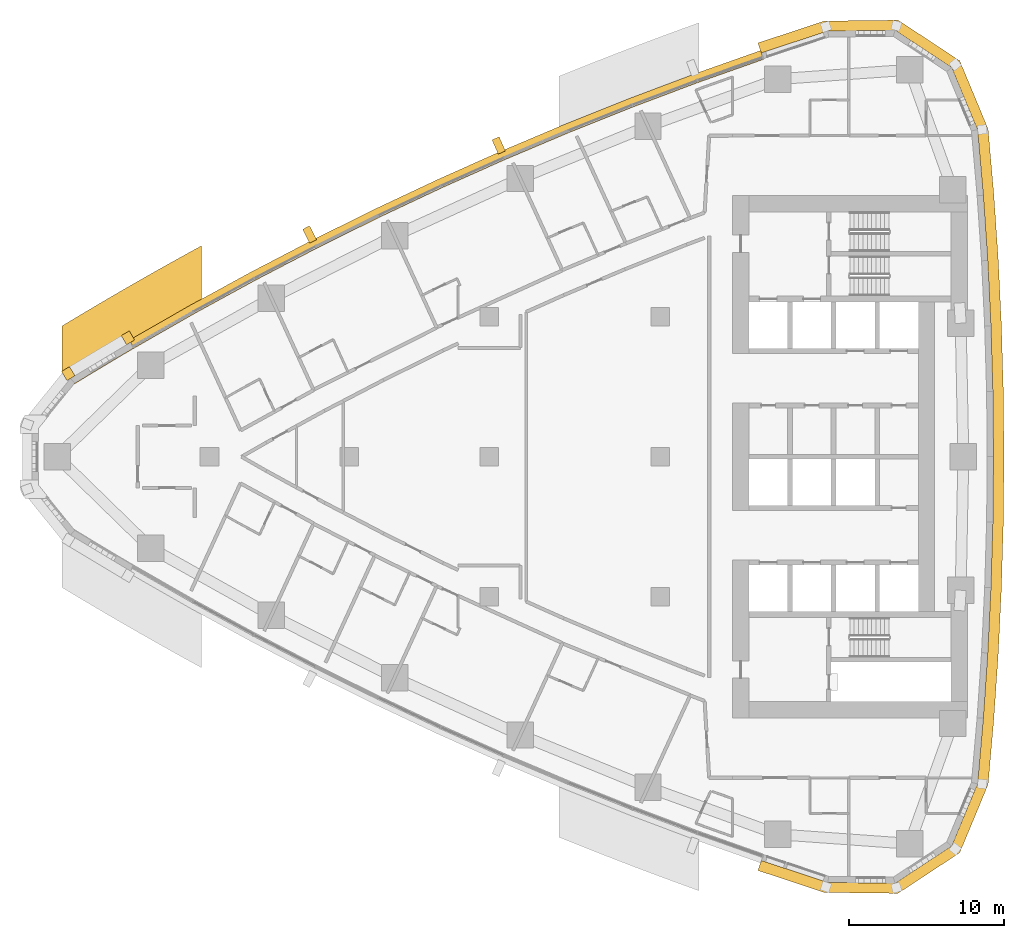
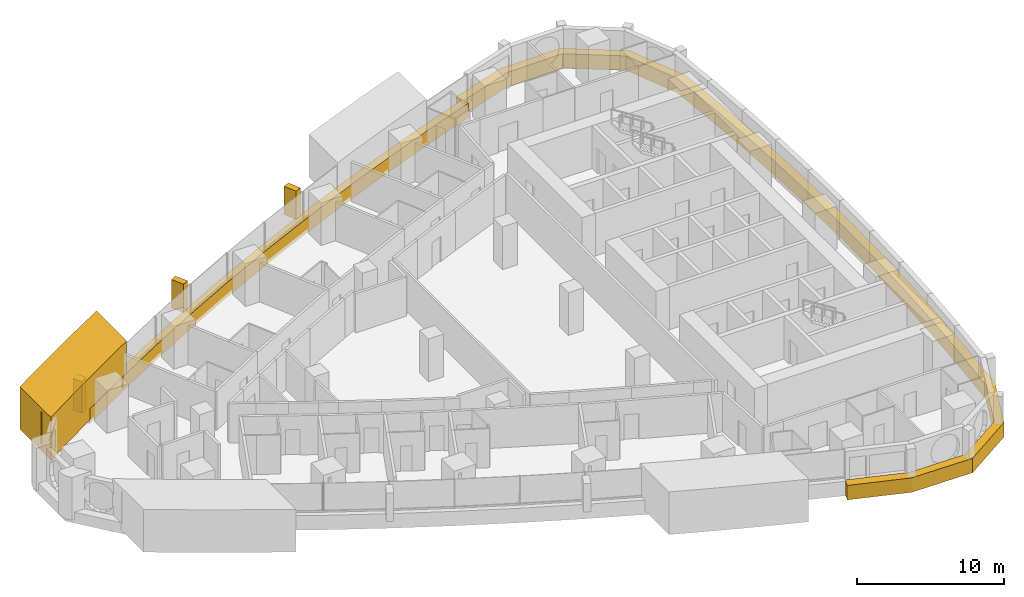
# One storey, part 16 of 17: 7 coverings.
"""IFC4 building model written with IfcOpenShell, lengths in metres."""

import ifcopenshell
import ifcopenshell.guid

model = None  # the IFC model being written
_history = None  # IfcOwnerHistory: only IFC2X3 demands one
_inside = {}  # id of a spatial element -> (the spatial element, [elements in it])
_under = {}  # id of a project, library or spatial element -> (it, [spatial elements below it])
_declared = {}  # id of a project -> (the project, [libraries it declares])
_typed = {}  # id of a type object -> (the type object, [elements of that type])
_made_of = {}  # id of a material, layer set ... -> (it, [elements and type objects made of it])


def new_model(schema):
    """Start an empty IFC model of exactly this schema.

    Asked for "IFC4X3", IfcOpenShell would pick the latest addendum, in which some entities
    have other attributes; the version numbers below select the first issue.
    IFC2X3 requires an IfcOwnerHistory on every rooted entity: one is made here for all.
    """
    global model, _history
    if schema == "IFC4X3":
        model = ifcopenshell.file(schema_version=(4, 3, 0, 0))
    else:
        model = ifcopenshell.file(schema=schema)
    _inside.clear()
    _under.clear()
    _declared.clear()
    _typed.clear()
    _made_of.clear()
    _history = None
    if model.schema == "IFC2X3":
        org = make("IfcOrganization", Name="unknown")
        user = make(
            "IfcPersonAndOrganization",
            ThePerson=make("IfcPerson", FamilyName="unknown"),
            TheOrganization=org,
        )
        app = make(
            "IfcApplication",
            ApplicationDeveloper=org,
            Version="unknown",
            ApplicationFullName="unknown",
            ApplicationIdentifier="unknown",
        )
        _history = make(
            "IfcOwnerHistory",
            OwningUser=user,
            OwningApplication=app,
            ChangeAction="ADDED",
            CreationDate=0,
        )
    return model


def make(cls, **values):
    """One entity of the class cls with the attributes given. An attribute that is None is left unset."""
    return model.create_entity(
        cls, **{name: value for name, value in values.items() if value is not None}
    )


def rooted(cls, **values):
    """An entity with a GlobalId (a new one), such as an element, a storey or a relation."""
    return make(cls, GlobalId=ifcopenshell.guid.new(), OwnerHistory=_history, **values)


def si_unit(unit_type, name, prefix=None):
    """IfcSIUnit, for example si_unit("LENGTHUNIT", "METRE", prefix="MILLI")."""
    return make("IfcSIUnit", UnitType=unit_type, Prefix=prefix, Name=name)


def assignment(units):
    """IfcUnitAssignment: the units of a project."""
    return None if units is None else make("IfcUnitAssignment", Units=units)


def point(xyz):
    """IfcCartesianPoint."""
    return None if xyz is None else make("IfcCartesianPoint", Coordinates=xyz)


def direction(xyz):
    """IfcDirection."""
    return None if xyz is None else make("IfcDirection", DirectionRatios=xyz)


def frame(location, z_axis=None, x_axis=None):
    """IfcAxis2Placement3D, a coordinate frame: its origin and axes. An axis left out is left unset."""
    return make(
        "IfcAxis2Placement3D",
        Location=point(location),
        Axis=direction(z_axis),
        RefDirection=direction(x_axis),
    )


def frame_2d(location, x_axis=None):
    """IfcAxis2Placement2D, a coordinate frame in the plane: its origin and x axis."""
    return make(
        "IfcAxis2Placement2D", Location=point(location), RefDirection=direction(x_axis)
    )


def origin():
    """The frame at (0, 0, 0) with its axes left unset."""
    return frame((0.0, 0.0, 0.0))


def place(relative_to, where):
    """IfcLocalPlacement: puts the frame where relative to a parent placement (None: the world)."""
    return make(
        "IfcLocalPlacement", PlacementRelTo=relative_to, RelativePlacement=where
    )


def context(
    kind, dimensions, precision=None, world=None, true_north=None, identifier=None
):
    """IfcGeometricRepresentationContext, for example the 3D "Model" context."""
    return make(
        "IfcGeometricRepresentationContext",
        ContextIdentifier=identifier,
        ContextType=kind,
        CoordinateSpaceDimension=dimensions,
        Precision=precision,
        WorldCoordinateSystem=world,
        TrueNorth=true_north,
    )


def subcontext(parent, identifier, kind, view, scale=None):
    """IfcGeometricRepresentationSubContext, for example "Body" below "Model"."""
    return make(
        "IfcGeometricRepresentationSubContext",
        ContextIdentifier=identifier,
        ContextType=kind,
        ParentContext=parent,
        TargetScale=scale,
        TargetView=view,
    )


def project(units=None, contexts=None):
    """IfcProject with its units and contexts."""
    return rooted(
        "IfcProject",
        Name="project",
        RepresentationContexts=contexts,
        UnitsInContext=assignment(units),
    )


def spatial(cls, under=None, at=None, **own):
    """A site, building, storey or space (cls), placed at a placement, below another one or the project."""
    s = rooted(cls, ObjectPlacement=at, **own)
    if under is not None:
        _under.setdefault(under.id(), (under, []))[1].append(s)
    return s


def polyline(points):
    """IfcPolyline through the points."""
    return make("IfcPolyline", Points=[point(p) for p in points])


def profile(cls, at=None, kind="AREA", **sizes):
    """A parametric profile (cls). Its sizes go by their IFC names, for example OverallWidth=200.0."""
    return make(cls, ProfileType=kind, Position=at, **sizes)


def rectangle(**sizes):
    """IfcRectangleProfileDef."""
    return profile("IfcRectangleProfileDef", **sizes)


def outline(outer, holes=None, kind="AREA"):
    """IfcArbitraryClosedProfileDef: a profile drawn as a closed curve; with holes, ...WithVoids."""
    if holes is None:
        return make("IfcArbitraryClosedProfileDef", ProfileType=kind, OuterCurve=outer)
    return make(
        "IfcArbitraryProfileDefWithVoids",
        ProfileType=kind,
        OuterCurve=outer,
        InnerCurves=holes,
    )


def extrude(swept, where, along, depth):
    """IfcExtrudedAreaSolid: the profile swept, set in the frame where, extruded along a direction by depth."""
    return make(
        "IfcExtrudedAreaSolid",
        SweptArea=swept,
        Position=where,
        ExtrudedDirection=direction(along),
        Depth=depth,
    )


def shape(context_of_items, identifier, shape_type, items):
    """IfcShapeRepresentation: the items that make up one representation, for example the "Body"."""
    return make(
        "IfcShapeRepresentation",
        ContextOfItems=context_of_items,
        RepresentationIdentifier=identifier,
        RepresentationType=shape_type,
        Items=items,
    )


def material(Name=None, Category=None):
    """IfcMaterial."""
    return make("IfcMaterial", Name=Name, Category=Category)


def layer(
    of_material, thickness, ventilated=None, Name=None, Category=None, Priority=None
):
    """IfcMaterialLayer: one layer of a wall or slab, of a material (None: an air gap)."""
    return make(
        "IfcMaterialLayer",
        Material=of_material,
        LayerThickness=thickness,
        IsVentilated=ventilated,
        Name=Name,
        Category=Category,
        Priority=Priority,
    )


def layer_set(layers, Name=None):
    """IfcMaterialLayerSet."""
    return make("IfcMaterialLayerSet", MaterialLayers=layers, LayerSetName=Name)


def made_of(thing, what):
    """Note that an element or type object is made of a material, layer set ...; save() writes the relation."""
    if what is not None:
        _made_of.setdefault(what.id(), (what, []))[1].append(thing)
    return thing


def type_object(cls, material=None, **own):
    """A type object (cls), such as IfcWallType, which elements share."""
    return made_of(rooted(cls, **own), material)


def element(
    cls,
    number,
    at=None,
    inside=None,
    cuts=None,
    type_object=None,
    material=None,
    context=None,
    identifier="Body",
    shape_type=None,
    held_by="IfcProductDefinitionShape",
    body=None,
    shapes=None,
    **own,
):
    """One element of the class cls, such as IfcWall. Its Tag is "e" and its number.

    at: its placement. inside: the storey or other place that contains it. cuts: it is an
    opening in that element (IfcRelVoidsElement). A single representation is given by context,
    identifier, shape_type and body (its items); several are given by shapes. held_by: the class
    of the entity that holds the representations. save() writes the other relations.
    """
    e = rooted(cls, Tag="e%d" % number, ObjectPlacement=at, **own)
    if body is not None:
        shapes = [shape(context, identifier, shape_type, body)]
    if shapes is not None:
        e.Representation = make(held_by, Representations=shapes)
    if inside is not None:
        _inside.setdefault(inside.id(), (inside, []))[1].append(e)
    if cuts is not None:
        rooted(
            "IfcRelVoidsElement", RelatingBuildingElement=cuts, RelatedOpeningElement=e
        )
    if type_object is not None:
        _typed.setdefault(type_object.id(), (type_object, []))[1].append(e)
    return made_of(e, material)


def aggregate(whole, parts):
    """IfcRelAggregates: a whole, such as a stair, and the parts it consists of."""
    return rooted("IfcRelAggregates", RelatingObject=whole, RelatedObjects=parts)


def save(model, path):
    """Write the relations noted so far, then the file.

    IfcRelAggregates (storeys below a building ...), IfcRelContainedInSpatialStructure (elements
    in a storey), IfcRelDefinesByType, IfcRelAssociatesMaterial and IfcRelDeclares: one each for
    every whole, place, type object, material and project.
    """
    for whole, parts in _under.values():
        aggregate(whole, parts)
    for where, things in _inside.values():
        rooted(
            "IfcRelContainedInSpatialStructure",
            RelatedElements=things,
            RelatingStructure=where,
        )
    for kind, things in _typed.values():
        rooted("IfcRelDefinesByType", RelatedObjects=things, RelatingType=kind)
    for what, things in _made_of.values():
        rooted("IfcRelAssociatesMaterial", RelatedObjects=things, RelatingMaterial=what)
    for by, libraries in _declared.values():
        rooted("IfcRelDeclares", RelatingContext=by, RelatedDefinitions=libraries)
    model.write(path)


model = new_model("IFC4")

# Units and contexts
model_context = context("Model", 3, precision=1e-05, world=origin(), true_north=direction((0.0, 1.0)))
body_context = subcontext(model_context, "Body", "Model", "MODEL_VIEW")
ifc_project = project(units=[si_unit("LENGTHUNIT", "METRE"), si_unit("AREAUNIT", "SQUARE_METRE"), si_unit("VOLUMEUNIT", "CUBIC_METRE"), si_unit("PLANEANGLEUNIT", "RADIAN"), si_unit("MASSUNIT", "GRAM", prefix="KILO")], contexts=[model_context])

# Site, building, storey
site_placement = place(None, origin())
site = spatial("IfcSite", under=ifc_project, at=site_placement, CompositionType="ELEMENT")
building_placement = place(site_placement, origin())
building = spatial("IfcBuilding", under=site, at=building_placement, Name="Ostrand Prow Hotel Tower", CompositionType="ELEMENT")
storey_placement = place(building_placement, frame((0.0, 0.0, 95.550048828125)))
storey = spatial("IfcBuildingStorey", under=building, at=storey_placement, Name="L22", CompositionType="ELEMENT", Elevation=95.550048828125)

# Coverings
ifc_material_1 = material(Name="Bronze anodised aluminium cladding", Category="aluminium")
ifc_layer_1 = layer(ifc_material_1, 0.60009765625)
ifc_layer_set_1 = layer_set([ifc_layer_1], Name="Bronze anodised aluminium cladding")
covering_type_1 = type_object("IfcCoveringType", Name="Bronze spandrel band 1200x600", PredefinedType="CLADDING", material=ifc_layer_set_1)
covering_1_placement = place(storey_placement, frame((0.0, 0.0, -0.300048828125)))
element("IfcCovering", 1, at=covering_1_placement, inside=storey, type_object=covering_type_1, Name="Spandrel band N1", PredefinedType="CLADDING", context=body_context, shape_type="SweptSolid", body=[
    extrude(outline(polyline([(51.4501953125, 26.1328125), (47.231201171875, 24.64013671875), (43.042724609375, 23.0634765625), (38.88671875, 21.4033203125), (34.764892578125, 19.659912109375), (30.6787109375, 17.834716796875), (26.6298828125, 15.927734375), (22.620361328125, 13.940185546875), (18.651123046875, 11.872802734375), (14.72412109375, 9.726318359375), (10.841064453125, 7.50146484375), (11.144287109375, 6.98388671875), (15.01708984375, 9.20263671875), (18.93359375, 11.343505859375), (22.89208984375, 13.4052734375), (26.89111328125, 15.3876953125), (30.928955078125, 17.289306640625), (35.004150390625, 19.10986328125), (39.114990234375, 20.848388671875), (43.259765625, 22.504150390625), (47.43701171875, 24.076416015625), (51.644775390625, 25.56494140625), (51.4501953125, 26.1328125)])), origin(), (0.0, 0.0, 1.0), 1.199951171875),
])
covering_2_placement = place(storey_placement, frame((0.0, 0.0, -0.300048828125)))
element("IfcCovering", 2, at=covering_2_placement, inside=storey, type_object=covering_type_1, Name="Spandrel band back 1", PredefinedType="CLADDING", context=body_context, shape_type="SweptSolid", body=[
    extrude(outline(polyline([(51.28369140625, -26.619384765625), (55.54150390625, -28.0302734375), (60.2958984375, -28.09033203125), (64.267578125, -25.476806640625), (66.09326171875, -21.086669921875), (66.460693359375, -16.87890625), (66.74658203125, -12.664794921875), (66.950927734375, -8.44580078125), (67.073486328125, -4.2236328125), (67.114501953125, 0.0), (67.073486328125, 4.2236328125), (66.950927734375, 8.44580078125), (66.74658203125, 12.664794921875), (66.460693359375, 16.87890625), (66.09326171875, 21.086669921875), (64.267578125, 25.476806640625), (60.2958984375, 28.09033203125), (55.54150390625, 28.0302734375), (51.28369140625, 26.619384765625), (51.50390625, 25.97607421875), (55.7490234375, 27.3828125), (60.104736328125, 27.437744140625), (63.74365234375, 25.043212890625), (65.41650390625, 21.02099609375), (65.78271484375, 16.826416015625), (66.067626953125, 12.625244140625), (66.271484375, 8.41943359375), (66.393798828125, 4.21044921875), (66.434326171875, 0.0), (66.393798828125, -4.21044921875), (66.271484375, -8.41943359375), (66.067626953125, -12.625244140625), (65.78271484375, -16.826416015625), (65.41650390625, -21.02099609375), (63.74365234375, -25.043212890625), (60.104736328125, -27.437744140625), (55.7490234375, -27.3828125), (51.50390625, -25.97607421875), (51.28369140625, -26.619384765625)])), origin(), (0.0, 0.0, 1.0), 1.199951171875),
])
ifc_material_2 = material(Name="Limestone cladding", Category="masonry")
ifc_layer_2 = layer(ifc_material_2, 5.0)
ifc_layer_set_2 = layer_set([ifc_layer_2], Name="Limestone cladding")
covering_type_2 = type_object("IfcCoveringType", Name="Portal jamb pilaster limestone", PredefinedType="CLADDING", material=ifc_layer_set_2)
covering_3_placement = place(storey_placement, origin())
element("IfcCovering", 3, at=covering_3_placement, inside=storey, type_object=covering_type_2, Name="Portal jamb NA L22", PredefinedType="CLADDING", context=body_context, shape_type="SweptSolid", body=[
    extrude(outline(polyline([(6.5, 4.184326171875), (7.5, 4.80029296875), (8.5, 5.40869140625), (9.5, 6.01025390625), (10.5, 6.6044921875), (11.5, 7.19189453125), (12.5, 7.772216796875), (13.5, 8.345703125), (14.5, 8.912353515625), (15.5, 9.47216796875), (15.5, 13.581787109375), (14.5, 13.03369140625), (13.5, 12.478759765625), (12.5, 11.91748046875), (11.5, 11.349365234375), (10.5, 10.7744140625), (9.5, 10.19287109375), (8.5, 9.604248046875), (7.5, 9.0087890625), (6.5, 8.40625), (6.5, 4.184326171875)])), origin(), (0.0, 0.0, 1.0), 3.550048828125),
])
ifc_material_3 = material(Name="Limestone cladding", Category="masonry")
ifc_layer_3 = layer(ifc_material_3, 0.5)
ifc_layer_set_3 = layer_set([ifc_layer_3], Name="Limestone cladding")
covering_type_3 = type_object("IfcCoveringType", Name="Precast stone fin 500x900", PredefinedType="CLADDING", material=ifc_layer_set_3)
covering_4_placement = place(storey_placement, frame((34.8046875, 19.568359375, 0.89990234375), z_axis=(0.0, 0.0, 1.0), x_axis=(-0.398717183359, 0.917073937965, 0.0)))
element("IfcCovering", 4, at=covering_4_placement, inside=storey, type_object=covering_type_3, Name="Stone fin N 5", PredefinedType="CLADDING", context=body_context, shape_type="SweptSolid", body=[
    extrude(rectangle(XDim=1.0, YDim=0.5, at=frame_2d((0.5, 0.0))), origin(), (0.0, 0.0, 1.0), 2.35009765625),
])
covering_5_placement = place(storey_placement, frame((22.66552734375, 13.85107421875, 0.89990234375), z_axis=(0.0, 0.0, 1.0), x_axis=(-0.453062569589, 0.891478719902, 0.0)))
element("IfcCovering", 5, at=covering_5_placement, inside=storey, type_object=covering_type_3, Name="Stone fin N 8", PredefinedType="CLADDING", context=body_context, shape_type="SweptSolid", body=[
    extrude(rectangle(XDim=1.000244140625, YDim=0.5, at=frame_2d((0.5, 0.0))), origin(), (0.0, 0.0, 1.0), 2.35009765625),
])
ifc_material_4 = material(Name="Limestone cladding", Category="masonry")
ifc_layer_4 = layer(ifc_material_4, 0.60009765625)
ifc_layer_set_4 = layer_set([ifc_layer_4], Name="Limestone cladding")
covering_type_4 = type_object("IfcCoveringType", Name="Precast stone prow rib 600x600", PredefinedType="CLADDING", material=ifc_layer_set_4)
covering_6_placement = place(storey_placement, frame((10.9248046875, 7.358642578125, 0.599853515625), z_axis=(0.0, 0.0, 1.0), x_axis=(-0.505811626043, 0.862643958397, 0.0)))
element("IfcCovering", 6, at=covering_6_placement, inside=storey, type_object=covering_type_4, Name="Stone prow rib 1", PredefinedType="CLADDING", context=body_context, shape_type="SweptSolid", body=[
    extrude(rectangle(XDim=0.68017578125, YDim=0.60009765625, at=frame_2d((0.340087890625, 0.0))), origin(), (0.0, 0.0, 1.0), 2.650146484375),
])
covering_7_placement = place(storey_placement, frame((7.089599609375, 5.058349609375, 0.599853515625), z_axis=(0.0, 0.0, 1.0), x_axis=(-0.522814637618, 0.852446394029, 0.0)))
element("IfcCovering", 7, at=covering_7_placement, inside=storey, type_object=covering_type_4, Name="Stone prow rib 2", PredefinedType="CLADDING", context=body_context, shape_type="SweptSolid", body=[
    extrude(rectangle(XDim=0.679931640625, YDim=0.60009765625, at=frame_2d((0.33984375, 0.0))), origin(), (0.0, 0.0, 1.0), 2.650146484375),
])

save(model, "model.ifc")
